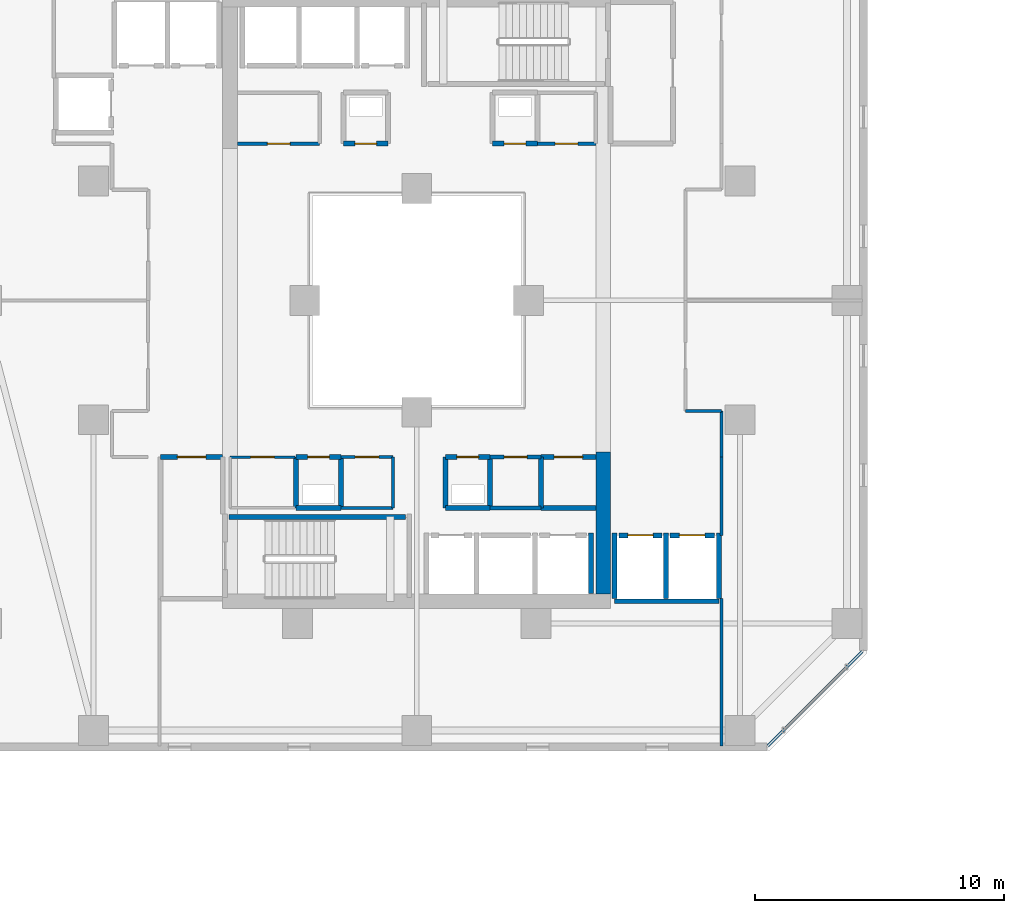
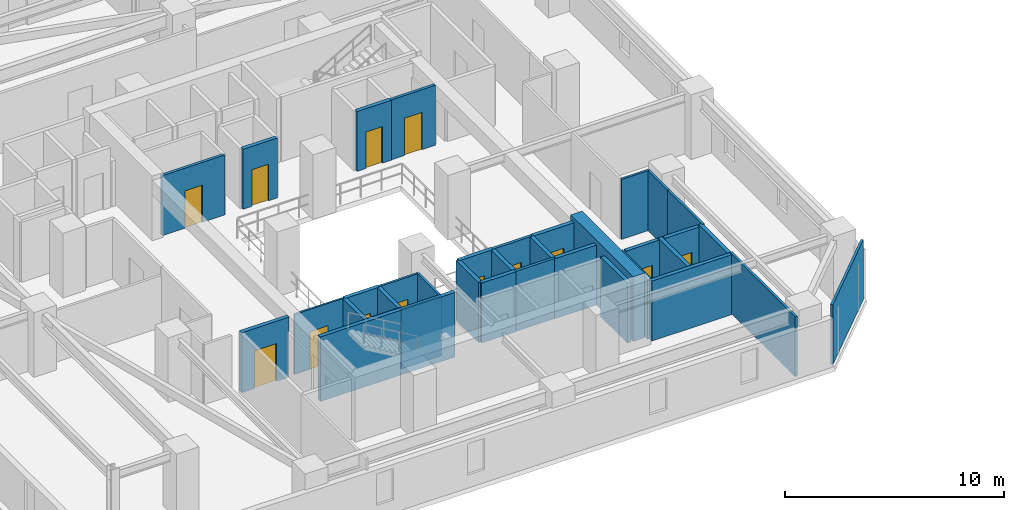
# One storey, part 20 of 33: 36 walls, 13 doors, 13 openings.
"""IFC4 building model written with IfcOpenShell, lengths in metres."""

from ifc_helpers import new_model, si_unit, direction, frame, frame_2d, origin, place, context, subcontext, project, spatial, rectangle, extrude, material, layer, layer_set, type_object, element, fill, save


model = new_model("IFC4")

# Units and contexts
model_context = context("Model", 3, precision=1e-05, world=origin(), true_north=direction((0.0, 1.0)))
body_context = subcontext(model_context, "Body", "Model", "MODEL_VIEW")
ifc_project = project(units=[si_unit("LENGTHUNIT", "METRE"), si_unit("AREAUNIT", "SQUARE_METRE"), si_unit("VOLUMEUNIT", "CUBIC_METRE"), si_unit("PLANEANGLEUNIT", "RADIAN"), si_unit("MASSUNIT", "GRAM", prefix="KILO")], contexts=[model_context])

# Site, building, storey
site_placement = place(None, origin())
site = spatial("IfcSite", under=ifc_project, at=site_placement, CompositionType="ELEMENT")
building_placement = place(site_placement, origin())
building = spatial("IfcBuilding", under=site, at=building_placement, Name="Thornwick Lancets Civic Towers", CompositionType="ELEMENT")
storey_placement = place(building_placement, frame((0.0, 0.0, 101.699951171875)))
storey = spatial("IfcBuildingStorey", under=building, at=storey_placement, Name="L26", CompositionType="ELEMENT", Elevation=101.699951171875)

# Wall, opening, door
ifc_material_1 = material(Name="Concrete blockwork C40/50", Category="masonry")
ifc_layer_1 = layer(ifc_material_1, 0.199951171875, Name="Concrete blockwork C40/50")
ifc_layer_set_1 = layer_set([ifc_layer_1], Name="Concrete blockwork C40/50")
wall_type_1 = type_object("IfcWallType", Name="WALL_COMP_200", PredefinedType="STANDARD", material=ifc_layer_set_1)
wall_1_placement = place(storey_placement, frame((33.6298828125, 17.550048828125, 0.0), z_axis=(0.0, 0.0, 1.0), x_axis=(1.0, 0.0, 0.0)))
wall_1 = element("IfcWall", 1, at=wall_1_placement, inside=storey, type_object=wall_type_1, Name="L26 Hoistway Front Wall PL-AL2", PredefinedType="STANDARD", context=body_context, shape_type="SweptSolid", body=[
    extrude(rectangle(XDim=1.740234375, YDim=0.199951171875, at=frame_2d((0.8701171875, 0.0))), origin(), (0.0, 0.0, 1.0), 3.340087890625),
])
opening_1_placement = place(wall_1_placement, frame((0.360107421875, 0.0, 0.0)))
opening_1 = element("IfcOpeningElement", 2, at=opening_1_placement, cuts=wall_1, Name="Opening LD-PL-AL2", PredefinedType="OPENING", context=body_context, shape_type="SweptSolid", body=[
    extrude(rectangle(XDim=1.02001953125, YDim=2.06005859375, at=frame_2d((0.510009765625, 1.030029296875))), frame((0.0, 0.10986328125, 0.0), z_axis=(0.0, -1.0, 0.0), x_axis=(1.0, 0.0, 0.0)), (0.0, 0.0, 1.0), 0.219970703125),
])
ifc_material_2 = material(Name="Brushed bronze stainless steel", Category="steel")
door_type_1 = type_object("IfcDoorType", Name="DOOR_LIFT_SLIDE", OperationType="SLIDING_TO_LEFT", PredefinedType="DOOR", material=ifc_material_2)
door_1_placement = place(opening_1_placement, origin())
door_1 = element("IfcDoor", 3, at=door_1_placement, inside=storey, type_object=door_type_1, Name="L26 Sliding Lift Landing Door LD-PL-AL2", OperationType="SLIDING_TO_LEFT", OverallHeight=2.06005859375, OverallWidth=1.02001953125, PredefinedType="DOOR", context=body_context, shape_type="SweptSolid", body=[
    extrude(rectangle(XDim=1.02001953125, YDim=2.06005859375, at=frame_2d((0.510009765625, 1.030029296875))), frame((0.0, 0.02490234375, 0.0), z_axis=(0.0, -1.0, 0.0), x_axis=(1.0, 0.0, 0.0)), (0.0, 0.0, 1.0), 0.050048828125),
])
fill(opening_1, door_1)

wall_2_placement = place(storey_placement, frame((35.679931640625, 17.550048828125, 0.0), z_axis=(0.0, 0.0, 1.0), x_axis=(1.0, 0.0, 0.0)))
wall_2 = element("IfcWall", 4, at=wall_2_placement, inside=storey, type_object=wall_type_1, Name="L26 Hoistway Front Wall PL-AL3", PredefinedType="STANDARD", context=body_context, shape_type="SweptSolid", body=[
    extrude(rectangle(XDim=1.7900390625, YDim=0.199951171875, at=frame_2d((0.89501953125, 0.0))), origin(), (0.0, 0.0, 1.0), 3.340087890625),
])
opening_2_placement = place(wall_2_placement, frame((0.385009765625, 0.0, 0.0)))
opening_2 = element("IfcOpeningElement", 5, at=opening_2_placement, cuts=wall_2, Name="Opening LD-PL-AL3", PredefinedType="OPENING", context=body_context, shape_type="SweptSolid", body=[
    extrude(rectangle(XDim=1.02001953125, YDim=2.06005859375, at=frame_2d((0.510009765625, 1.030029296875))), frame((0.0, 0.10986328125, 0.0), z_axis=(0.0, -1.0, 0.0), x_axis=(1.0, 0.0, 0.0)), (0.0, 0.0, 1.0), 0.219970703125),
])
door_2_placement = place(opening_2_placement, origin())
door_2 = element("IfcDoor", 6, at=door_2_placement, inside=storey, type_object=door_type_1, Name="L26 Sliding Lift Landing Door LD-PL-AL3", OperationType="SLIDING_TO_LEFT", OverallHeight=2.06005859375, OverallWidth=1.02001953125, PredefinedType="DOOR", context=body_context, shape_type="SweptSolid", body=[
    extrude(rectangle(XDim=1.02001953125, YDim=2.06005859375, at=frame_2d((0.510009765625, 1.030029296875))), frame((0.0, 0.02490234375, 0.0), z_axis=(0.0, -1.0, 0.0), x_axis=(1.0, 0.0, 0.0)), (0.0, 0.0, 1.0), 0.050048828125),
])
fill(opening_2, door_2)

# Walls
wall_3_placement = place(storey_placement, frame((32.5, 15.2119140625, 0.0), z_axis=(0.0, 0.0, 1.0), x_axis=(0.0, 1.0, 0.0)))
element("IfcWall", 7, at=wall_3_placement, inside=storey, type_object=wall_type_1, Name="L26 Hoistway Shaft Wall PL-AL1 E", PredefinedType="STANDARD", context=body_context, shape_type="SweptSolid", body=[
    extrude(rectangle(XDim=2.43603515625, YDim=0.199951171875, at=frame_2d((1.218017578125, 0.0))), origin(), (0.0, 0.0, 1.0), 3.340087890625),
])
wall_4_placement = place(storey_placement, frame((33.451904296875, 14.89990234375, 0.0), z_axis=(0.0, 0.0, 1.0), x_axis=(1.0, 0.0, 0.0)))
element("IfcWall", 8, at=wall_4_placement, inside=storey, type_object=wall_type_1, Name="L26 Hoistway Shaft Wall PL-AL2 S", PredefinedType="STANDARD", context=body_context, shape_type="SweptSolid", body=[
    extrude(rectangle(XDim=4.196044921875, YDim=0.199951171875, at=frame_2d((2.09814453125, 0.0))), origin(), (0.0, 0.0, 1.0), 3.340087890625),
])
for number, where, z_axis, x_axis, name in (
    (9, (35.52490234375, 15.011962890625, 0.0), (0.0, 0.0, 1.0), (0.0, 1.0, 0.0), "L26 Hoistway Shaft Wall PL-AL2 E"),
    (10, (33.449951171875, 15.011962890625, 0.0), (0.0, 0.0, 1.0), (0.0, 1.0, 0.0), "L26 Hoistway Shaft Wall PL-AL2 W"),
    (11, (37.64990234375, 15.011962890625, 0.0), (0.0, 0.0, 1.0), (0.0, 1.0, 0.0), "L26 Hoistway Shaft Wall PL-AL3 E"),
):
    element("IfcWall", number, at=place(storey_placement, frame(where, z_axis=z_axis, x_axis=x_axis)), inside=storey, type_object=wall_type_1, Name=name, PredefinedType="STANDARD", context=body_context, shape_type="SweptSolid", body=[
        extrude(rectangle(XDim=2.635986328125, YDim=0.199951171875, at=frame_2d((1.31787109375, 0.0))), origin(), (0.0, 0.0, 1.0), 3.340087890625),
    ])

# Wall, opening, door
wall_5_placement = place(storey_placement, frame((17.699951171875, 20.699951171875, 0.0), z_axis=(0.0, 0.0, 1.0), x_axis=(-1.0, 0.0, 0.0)))
wall_5 = element("IfcWall", 12, at=wall_5_placement, inside=storey, type_object=wall_type_1, Name="L26 Partition L26-A-FFLOB1 E3", PredefinedType="STANDARD", context=body_context, shape_type="SweptSolid", body=[
    extrude(rectangle(XDim=2.5, YDim=0.199951171875, at=frame_2d((1.25, 0.0))), origin(), (0.0, 0.0, 1.0), 3.340087890625),
])
opening_3_placement = place(wall_5_placement, frame((0.675048828125, 0.0, 0.0)))
opening_3 = element("IfcOpeningElement", 13, at=opening_3_placement, cuts=wall_5, Name="Opening D-L26-1193", PredefinedType="OPENING", context=body_context, shape_type="SweptSolid", body=[
    extrude(rectangle(XDim=1.14990234375, YDim=2.10009765625, at=frame_2d((0.574951171875, 1.050048828125))), frame((0.0, 0.10986328125, 0.0), z_axis=(0.0, -1.0, 0.0), x_axis=(1.0, 0.0, 0.0)), (0.0, 0.0, 1.0), 0.219970703125),
])
ifc_material_3 = material(Name="Glazed fire-resisting steel", Category="steel")
door_type_2 = type_object("IfcDoorType", Name="DOOR_LOBBY_FD60", OperationType="NOTDEFINED", PredefinedType="DOOR", material=ifc_material_3)
door_3_placement = place(opening_3_placement, origin())
door_3 = element("IfcDoor", 14, at=door_3_placement, inside=storey, type_object=door_type_2, Name="L26 South Firefighting Lobby 1 Door", OperationType="SINGLE_SWING_RIGHT", OverallHeight=2.10009765625, OverallWidth=1.14990234375, PredefinedType="DOOR", context=body_context, shape_type="SweptSolid", body=[
    extrude(rectangle(XDim=1.14990234375, YDim=2.10009765625, at=frame_2d((0.574951171875, 1.050048828125))), frame((0.0, 0.02490234375, 0.0), z_axis=(0.0, -1.0, 0.0), x_axis=(1.0, 0.0, 0.0)), (0.0, 0.0, 1.0), 0.050048828125),
])
fill(opening_3, door_3)

# Walls
wall_6_placement = place(storey_placement, frame((26.64990234375, 18.64990234375, 0.0), z_axis=(0.0, 0.0, 1.0), x_axis=(1.0, 0.0, 0.0)))
element("IfcWall", 15, at=wall_6_placement, inside=storey, type_object=wall_type_1, Name="L26 Partition L26-A-DUCT1 E1", PredefinedType="STANDARD", context=body_context, shape_type="SweptSolid", body=[
    extrude(rectangle(XDim=1.800048828125, YDim=0.199951171875, at=frame_2d((0.89990234375, 0.0))), origin(), (0.0, 0.0, 1.0), 3.340087890625),
])
wall_7_placement = place(storey_placement, frame((28.449951171875, 18.64990234375, 0.0), z_axis=(0.0, 0.0, 1.0), x_axis=(0.0, 1.0, 0.0)))
element("IfcWall", 16, at=wall_7_placement, inside=storey, type_object=wall_type_1, Name="L26 Partition L26-A-DUCT1 E2", PredefinedType="STANDARD", context=body_context, shape_type="SweptSolid", body=[
    extrude(rectangle(XDim=2.050048828125, YDim=0.199951171875, at=frame_2d((1.02490234375, 0.0))), origin(), (0.0, 0.0, 1.0), 3.340087890625),
])

# Wall, opening, door
wall_8_placement = place(storey_placement, frame((28.449951171875, 20.699951171875, 0.0), z_axis=(0.0, 0.0, 1.0), x_axis=(-1.0, 0.0, 0.0)))
wall_8 = element("IfcWall", 17, at=wall_8_placement, inside=storey, type_object=wall_type_1, Name="L26 Partition L26-A-DUCT1 E3", PredefinedType="STANDARD", context=body_context, shape_type="SweptSolid", body=[
    extrude(rectangle(XDim=1.800048828125, YDim=0.199951171875, at=frame_2d((0.89990234375, 0.0))), origin(), (0.0, 0.0, 1.0), 3.340087890625),
])
opening_4_placement = place(wall_8_placement, frame((0.4599609375, 0.0, 0.0)))
opening_4 = element("IfcOpeningElement", 18, at=opening_4_placement, cuts=wall_8, Name="Opening D-L26-1195", PredefinedType="OPENING", context=body_context, shape_type="SweptSolid", body=[
    extrude(rectangle(XDim=0.8798828125, YDim=2.0400390625, at=frame_2d((0.43994140625, 1.02001953125))), frame((0.0, 0.10986328125, 0.0), z_axis=(0.0, -1.0, 0.0), x_axis=(1.0, 0.0, 0.0)), (0.0, 0.0, 1.0), 0.219970703125),
])
ifc_material_4 = material(Name="Steel riser access doorset", Category="steel")
door_type_3 = type_object("IfcDoorType", Name="DOOR_RISER_850", OperationType="NOTDEFINED", PredefinedType="DOOR", material=ifc_material_4)
door_4_placement = place(opening_4_placement, origin())
door_4 = element("IfcDoor", 19, at=door_4_placement, inside=storey, type_object=door_type_3, Name="L26 South Service Duct 1 Door", OperationType="SINGLE_SWING_RIGHT", OverallHeight=2.0400390625, OverallWidth=0.8798828125, PredefinedType="DOOR", context=body_context, shape_type="SweptSolid", body=[
    extrude(rectangle(XDim=0.8798828125, YDim=2.0400390625, at=frame_2d((0.43994140625, 1.02001953125))), frame((0.0, 0.02490234375, 0.0), z_axis=(0.0, -1.0, 0.0), x_axis=(1.0, 0.0, 0.0)), (0.0, 0.0, 1.0), 0.050048828125),
])
fill(opening_4, door_4)

# Walls
wall_9_placement = place(storey_placement, frame((26.64990234375, 20.699951171875, 0.0), z_axis=(0.0, 0.0, 1.0), x_axis=(0.0, -1.0, 0.0)))
element("IfcWall", 20, at=wall_9_placement, inside=storey, type_object=wall_type_1, Name="L26 Partition L26-A-DUCT1 E4", PredefinedType="STANDARD", context=body_context, shape_type="SweptSolid", body=[
    extrude(rectangle(XDim=2.050048828125, YDim=0.199951171875, at=frame_2d((1.02490234375, 0.0))), origin(), (0.0, 0.0, 1.0), 3.340087890625),
])
wall_10_placement = place(storey_placement, frame((20.64990234375, 18.64990234375, 0.0), z_axis=(0.0, 0.0, 1.0), x_axis=(1.0, 0.0, 0.0)))
element("IfcWall", 21, at=wall_10_placement, inside=storey, type_object=wall_type_1, Name="L26 Partition L26-A-RISER1 E1", PredefinedType="STANDARD", context=body_context, shape_type="SweptSolid", body=[
    extrude(rectangle(XDim=1.800048828125, YDim=0.199951171875, at=frame_2d((0.89990234375, 0.0))), origin(), (0.0, 0.0, 1.0), 3.340087890625),
])
wall_11_placement = place(storey_placement, frame((22.449951171875, 18.64990234375, 0.0), z_axis=(0.0, 0.0, 1.0), x_axis=(0.0, 1.0, 0.0)))
element("IfcWall", 22, at=wall_11_placement, inside=storey, type_object=wall_type_1, Name="L26 Partition L26-A-RISER1 E2", PredefinedType="STANDARD", context=body_context, shape_type="SweptSolid", body=[
    extrude(rectangle(XDim=2.050048828125, YDim=0.199951171875, at=frame_2d((1.02490234375, 0.0))), origin(), (0.0, 0.0, 1.0), 3.340087890625),
])

# Wall, opening, door
wall_12_placement = place(storey_placement, frame((22.449951171875, 20.699951171875, 0.0), z_axis=(0.0, 0.0, 1.0), x_axis=(-1.0, 0.0, 0.0)))
wall_12 = element("IfcWall", 23, at=wall_12_placement, inside=storey, type_object=wall_type_1, Name="L26 Partition L26-A-RISER1 E3", PredefinedType="STANDARD", context=body_context, shape_type="SweptSolid", body=[
    extrude(rectangle(XDim=1.800048828125, YDim=0.199951171875, at=frame_2d((0.89990234375, 0.0))), origin(), (0.0, 0.0, 1.0), 3.340087890625),
])
opening_5_placement = place(wall_12_placement, frame((0.4599609375, 0.0, 0.0)))
opening_5 = element("IfcOpeningElement", 24, at=opening_5_placement, cuts=wall_12, Name="Opening D-L26-1196", PredefinedType="OPENING", context=body_context, shape_type="SweptSolid", body=[
    extrude(rectangle(XDim=0.8798828125, YDim=2.0400390625, at=frame_2d((0.43994140625, 1.02001953125))), frame((0.0, 0.10986328125, 0.0), z_axis=(0.0, -1.0, 0.0), x_axis=(1.0, 0.0, 0.0)), (0.0, 0.0, 1.0), 0.219970703125),
])
door_5_placement = place(opening_5_placement, origin())
door_5 = element("IfcDoor", 25, at=door_5_placement, inside=storey, type_object=door_type_3, Name="L26 South Electrical Riser 1 Door", OperationType="SINGLE_SWING_LEFT", OverallHeight=2.0400390625, OverallWidth=0.8798828125, PredefinedType="DOOR", context=body_context, shape_type="SweptSolid", body=[
    extrude(rectangle(XDim=0.8798828125, YDim=2.0400390625, at=frame_2d((0.43994140625, 1.02001953125))), frame((0.0, 0.02490234375, 0.0), z_axis=(0.0, -1.0, 0.0), x_axis=(1.0, 0.0, 0.0)), (0.0, 0.0, 1.0), 0.050048828125),
])
fill(opening_5, door_5)

# Wall
wall_13_placement = place(storey_placement, frame((20.64990234375, 20.699951171875, 0.0), z_axis=(0.0, 0.0, 1.0), x_axis=(0.0, -1.0, 0.0)))
element("IfcWall", 26, at=wall_13_placement, inside=storey, type_object=wall_type_1, Name="L26 Partition L26-A-RISER1 E4", PredefinedType="STANDARD", context=body_context, shape_type="SweptSolid", body=[
    extrude(rectangle(XDim=2.050048828125, YDim=0.199951171875, at=frame_2d((1.02490234375, 0.0))), origin(), (0.0, 0.0, 1.0), 3.340087890625),
])

# Wall, opening, door
wall_14_placement = place(storey_placement, frame((22.550048828125, 33.300048828125, 0.0), z_axis=(0.0, 0.0, 1.0), x_axis=(1.0, 0.0, 0.0)))
wall_14 = element("IfcWall", 27, at=wall_14_placement, inside=storey, type_object=wall_type_1, Name="L26 Partition L26-A-DUCT2 E1", PredefinedType="STANDARD", context=body_context, shape_type="SweptSolid", body=[
    extrude(rectangle(XDim=1.800048828125, YDim=0.199951171875, at=frame_2d((0.89990234375, 0.0))), origin(), (0.0, 0.0, 1.0), 3.340087890625),
])
opening_6_placement = place(wall_14_placement, frame((0.4599609375, 0.0, 0.0)))
opening_6 = element("IfcOpeningElement", 28, at=opening_6_placement, cuts=wall_14, Name="Opening D-L26-1197", PredefinedType="OPENING", context=body_context, shape_type="SweptSolid", body=[
    extrude(rectangle(XDim=0.8798828125, YDim=2.0400390625, at=frame_2d((0.43994140625, 1.02001953125))), frame((0.0, 0.10986328125, 0.0), z_axis=(0.0, -1.0, 0.0), x_axis=(1.0, 0.0, 0.0)), (0.0, 0.0, 1.0), 0.219970703125),
])
door_6_placement = place(opening_6_placement, origin())
door_6 = element("IfcDoor", 29, at=door_6_placement, inside=storey, type_object=door_type_3, Name="L26 North Service Duct 2 Door", OperationType="SINGLE_SWING_RIGHT", OverallHeight=2.0400390625, OverallWidth=0.8798828125, PredefinedType="DOOR", context=body_context, shape_type="SweptSolid", body=[
    extrude(rectangle(XDim=0.8798828125, YDim=2.0400390625, at=frame_2d((0.43994140625, 1.02001953125))), frame((0.0, 0.02490234375, 0.0), z_axis=(0.0, -1.0, 0.0), x_axis=(1.0, 0.0, 0.0)), (0.0, 0.0, 1.0), 0.050048828125),
])
fill(opening_6, door_6)

wall_15_placement = place(storey_placement, frame((28.550048828125, 33.300048828125, 0.0), z_axis=(0.0, 0.0, 1.0), x_axis=(1.0, 0.0, 0.0)))
wall_15 = element("IfcWall", 30, at=wall_15_placement, inside=storey, type_object=wall_type_1, Name="L26 Partition L26-A-RISER2 E1", PredefinedType="STANDARD", context=body_context, shape_type="SweptSolid", body=[
    extrude(rectangle(XDim=1.800048828125, YDim=0.199951171875, at=frame_2d((0.89990234375, 0.0))), origin(), (0.0, 0.0, 1.0), 3.340087890625),
])
opening_7_placement = place(wall_15_placement, frame((0.4599609375, 0.0, 0.0)))
opening_7 = element("IfcOpeningElement", 31, at=opening_7_placement, cuts=wall_15, Name="Opening D-L26-1198", PredefinedType="OPENING", context=body_context, shape_type="SweptSolid", body=[
    extrude(rectangle(XDim=0.8798828125, YDim=2.0400390625, at=frame_2d((0.43994140625, 1.02001953125))), frame((0.0, 0.10986328125, 0.0), z_axis=(0.0, -1.0, 0.0), x_axis=(1.0, 0.0, 0.0)), (0.0, 0.0, 1.0), 0.219970703125),
])
door_7_placement = place(opening_7_placement, origin())
door_7 = element("IfcDoor", 32, at=door_7_placement, inside=storey, type_object=door_type_3, Name="L26 North Service Riser 2 Door", OperationType="SINGLE_SWING_LEFT", OverallHeight=2.0400390625, OverallWidth=0.8798828125, PredefinedType="DOOR", context=body_context, shape_type="SweptSolid", body=[
    extrude(rectangle(XDim=0.8798828125, YDim=2.0400390625, at=frame_2d((0.43994140625, 1.02001953125))), frame((0.0, 0.02490234375, 0.0), z_axis=(0.0, -1.0, 0.0), x_axis=(1.0, 0.0, 0.0)), (0.0, 0.0, 1.0), 0.050048828125),
])
fill(opening_7, door_7)

# Walls
wall_16_placement = place(storey_placement, frame((32.699951171875, 18.64990234375, 0.0), z_axis=(0.0, 0.0, 1.0), x_axis=(-1.0, 0.0, 0.0)))
element("IfcWall", 33, at=wall_16_placement, inside=storey, type_object=wall_type_1, Name="L26 Partition L26-A-STR2 E2", PredefinedType="STANDARD", context=body_context, shape_type="SweptSolid", body=[
    extrude(rectangle(XDim=2.199951171875, YDim=0.199951171875, at=frame_2d((1.10009765625, 0.0))), origin(), (0.0, 0.0, 1.0), 3.340087890625),
])
wall_17_placement = place(storey_placement, frame((30.5, 18.64990234375, 0.0), z_axis=(0.0, 0.0, 1.0), x_axis=(0.0, 1.0, 0.0)))
element("IfcWall", 34, at=wall_17_placement, inside=storey, type_object=wall_type_1, Name="L26 Partition L26-A-STR2 E3", PredefinedType="STANDARD", context=body_context, shape_type="SweptSolid", body=[
    extrude(rectangle(XDim=2.050048828125, YDim=0.199951171875, at=frame_2d((1.02490234375, 0.0))), origin(), (0.0, 0.0, 1.0), 3.340087890625),
])

# Wall, opening, door
wall_18_placement = place(storey_placement, frame((30.5, 20.699951171875, 0.0), z_axis=(0.0, 0.0, 1.0), x_axis=(1.0, 0.0, 0.0)))
wall_18 = element("IfcWall", 35, at=wall_18_placement, inside=storey, type_object=wall_type_1, Name="L26 Partition L26-A-STR2 E4", PredefinedType="STANDARD", context=body_context, shape_type="SweptSolid", body=[
    extrude(rectangle(XDim=2.199951171875, YDim=0.199951171875, at=frame_2d((1.10009765625, 0.0))), origin(), (0.0, 0.0, 1.0), 3.340087890625),
])
opening_8_placement = place(wall_18_placement, frame((0.52490234375, 0.0, 0.0)))
opening_8 = element("IfcOpeningElement", 36, at=opening_8_placement, cuts=wall_18, Name="Opening D-L26-1202", PredefinedType="OPENING", context=body_context, shape_type="SweptSolid", body=[
    extrude(rectangle(XDim=1.14990234375, YDim=2.10009765625, at=frame_2d((0.574951171875, 1.050048828125))), frame((0.0, 0.10986328125, 0.0), z_axis=(0.0, -1.0, 0.0), x_axis=(1.0, 0.0, 0.0)), (0.0, 0.0, 1.0), 0.219970703125),
])
door_8_placement = place(opening_8_placement, origin())
door_8 = element("IfcDoor", 37, at=door_8_placement, inside=storey, type_object=door_type_2, Name="L26 Tower A Core Supplies Store Door", OperationType="SINGLE_SWING_LEFT", OverallHeight=2.10009765625, OverallWidth=1.14990234375, PredefinedType="DOOR", context=body_context, shape_type="SweptSolid", body=[
    extrude(rectangle(XDim=1.14990234375, YDim=2.10009765625, at=frame_2d((0.574951171875, 1.050048828125))), frame((0.0, 0.02490234375, 0.0), z_axis=(0.0, -1.0, 0.0), x_axis=(1.0, 0.0, 0.0)), (0.0, 0.0, 1.0), 0.050048828125),
])
fill(opening_8, door_8)

# Wall
ifc_material_5 = material(Name="Concrete C60/75", Category="concrete")
ifc_layer_2 = layer(ifc_material_5, 0.60009765625, Name="Concrete C60/75")
ifc_layer_set_2 = layer_set([ifc_layer_2], Name="Concrete C60/75")
wall_type_2 = type_object("IfcWallType", Name="WALL_CORE_600", PredefinedType="SHEAR", material=ifc_layer_set_2)
wall_19_placement = place(storey_placement, frame((33.0, 15.199951171875, 0.0), z_axis=(0.0, 0.0, 1.0), x_axis=(0.0, 1.0, 0.0)))
element("IfcWall", 38, at=wall_19_placement, inside=storey, type_object=wall_type_2, Name="L26 Split Core A1 Shear Wall E", PredefinedType="SHEAR", context=body_context, shape_type="SweptSolid", body=[
    extrude(rectangle(XDim=5.699951171875, YDim=0.60009765625, at=frame_2d((2.85009765625, 0.0))), origin(), (0.0, 0.0, 1.0), 3.60009765625),
])

# Wall, opening, door
ifc_material_6 = material(Name="Lightweight cellular office partition")
ifc_layer_3 = layer(ifc_material_6, 0.10009765625, Name="Lightweight cellular office partition")
ifc_layer_set_3 = layer_set([ifc_layer_3], Name="Lightweight cellular office partition")
wall_type_3 = type_object("IfcWallType", Name="WALL_PART_100", PredefinedType="PARTITIONING", material=ifc_layer_set_3)
wall_20_placement = place(storey_placement, frame((20.60009765625, 20.699951171875, 0.0), z_axis=(0.0, 0.0, 1.0), x_axis=(-1.0, 0.0, 0.0)))
wall_20 = element("IfcWall", 39, at=wall_20_placement, inside=storey, type_object=wall_type_3, Name="L26 Partition L26-A-CLN E3", PredefinedType="PARTITIONING", context=body_context, shape_type="SweptSolid", body=[
    extrude(rectangle(XDim=2.60009765625, YDim=0.10009765625, at=frame_2d((1.300048828125, 0.0))), origin(), (0.0, 0.0, 1.0), 3.340087890625),
])
opening_9_placement = place(wall_20_placement, frame((0.824951171875, 0.0, 0.0)))
opening_9 = element("IfcOpeningElement", 40, at=opening_9_placement, cuts=wall_20, Name="Opening D-L26-1199", PredefinedType="OPENING", context=body_context, shape_type="SweptSolid", body=[
    extrude(rectangle(XDim=0.949951171875, YDim=2.10009765625, at=frame_2d((0.47509765625, 1.050048828125))), frame((0.0, 0.06005859375, 0.0), z_axis=(0.0, -1.0, 0.0), x_axis=(1.0, 0.0, 0.0)), (0.0, 0.0, 1.0), 0.1201171875),
])
ifc_material_7 = material(Name="European oak acoustic doorset")
door_type_4 = type_object("IfcDoorType", Name="DOOR_OFFICE_950", OperationType="NOTDEFINED", PredefinedType="DOOR", material=ifc_material_7)
door_9_placement = place(opening_9_placement, origin())
door_9 = element("IfcDoor", 41, at=door_9_placement, inside=storey, type_object=door_type_4, Name="L26 Tower A Cleaners Store Door", OperationType="SINGLE_SWING_RIGHT", OverallHeight=2.10009765625, OverallWidth=0.949951171875, PredefinedType="DOOR", context=body_context, shape_type="SweptSolid", body=[
    extrude(rectangle(XDim=0.949951171875, YDim=2.10009765625, at=frame_2d((0.47509765625, 1.050048828125))), frame((0.0, 0.02490234375, 0.0), z_axis=(0.0, -1.0, 0.0), x_axis=(1.0, 0.0, 0.0)), (0.0, 0.0, 1.0), 0.050048828125),
])
fill(opening_9, door_9)

# Walls
ifc_material_8 = material(Name="Acoustic gypsum board partition")
ifc_layer_4 = layer(ifc_material_8, 0.1201171875, Name="Acoustic gypsum board partition")
ifc_layer_set_4 = layer_set([ifc_layer_4], Name="Acoustic gypsum board partition")
wall_type_4 = type_object("IfcWallType", Name="WALL_PART_120", PredefinedType="PARTITIONING", material=ifc_layer_set_4)
wall_21_placement = place(storey_placement, frame((24.550048828125, 20.699951171875, 0.0), z_axis=(0.0, 0.0, 1.0), x_axis=(0.0, -1.0, 0.0)))
element("IfcWall", 42, at=wall_21_placement, inside=storey, type_object=wall_type_4, Name="L26 Partition L26-A-ITR E1", PredefinedType="PARTITIONING", context=body_context, shape_type="SweptSolid", body=[
    extrude(rectangle(XDim=2.050048828125, YDim=0.1201171875, at=frame_2d((1.02490234375, 0.0))), origin(), (0.0, 0.0, 1.0), 3.340087890625),
])
wall_22_placement = place(storey_placement, frame((24.550048828125, 18.64990234375, 0.0), z_axis=(0.0, 0.0, 1.0), x_axis=(-1.0, 0.0, 0.0)))
element("IfcWall", 43, at=wall_22_placement, inside=storey, type_object=wall_type_4, Name="L26 Partition L26-A-ITR E2", PredefinedType="PARTITIONING", context=body_context, shape_type="SweptSolid", body=[
    extrude(rectangle(XDim=2.10009765625, YDim=0.1201171875, at=frame_2d((1.050048828125, 0.0))), origin(), (0.0, 0.0, 1.0), 3.340087890625),
])

# Wall, opening, door
wall_23_placement = place(storey_placement, frame((22.449951171875, 20.699951171875, 0.0), z_axis=(0.0, 0.0, 1.0), x_axis=(1.0, 0.0, 0.0)))
wall_23 = element("IfcWall", 44, at=wall_23_placement, inside=storey, type_object=wall_type_4, Name="L26 Partition L26-A-ITR E4", PredefinedType="PARTITIONING", context=body_context, shape_type="SweptSolid", body=[
    extrude(rectangle(XDim=2.10009765625, YDim=0.1201171875, at=frame_2d((1.050048828125, 0.0))), origin(), (0.0, 0.0, 1.0), 3.340087890625),
])
opening_10_placement = place(wall_23_placement, frame((0.574951171875, 0.0, 0.0)))
opening_10 = element("IfcOpeningElement", 45, at=opening_10_placement, cuts=wall_23, Name="Opening D-L26-1200", PredefinedType="OPENING", context=body_context, shape_type="SweptSolid", body=[
    extrude(rectangle(XDim=0.949951171875, YDim=2.10009765625, at=frame_2d((0.47509765625, 1.050048828125))), frame((0.0, 0.070068359375, 0.0), z_axis=(0.0, -1.0, 0.0), x_axis=(1.0, 0.0, 0.0)), (0.0, 0.0, 1.0), 0.14013671875),
])
door_10_placement = place(opening_10_placement, origin())
door_10 = element("IfcDoor", 46, at=door_10_placement, inside=storey, type_object=door_type_4, Name="L26 Tower A Comms Patch Room Door", OperationType="SINGLE_SWING_LEFT", OverallHeight=2.10009765625, OverallWidth=0.949951171875, PredefinedType="DOOR", context=body_context, shape_type="SweptSolid", body=[
    extrude(rectangle(XDim=0.949951171875, YDim=2.10009765625, at=frame_2d((0.47509765625, 1.050048828125))), frame((0.0, 0.02490234375, 0.0), z_axis=(0.0, -1.0, 0.0), x_axis=(1.0, 0.0, 0.0)), (0.0, 0.0, 1.0), 0.050048828125),
])
fill(opening_10, door_10)

# Walls
wall_24_placement = place(storey_placement, frame((37.75, 17.550048828125, 0.0), z_axis=(0.0, 0.0, 1.0), x_axis=(0.0, 1.0, 0.0)))
element("IfcWall", 47, at=wall_24_placement, inside=storey, type_object=wall_type_4, Name="L26 Partition L26-A-E1 E1", PredefinedType="PARTITIONING", context=body_context, shape_type="SweptSolid", body=[
    extrude(rectangle(XDim=3.14990234375, YDim=0.1201171875, at=frame_2d((1.574951171875, 0.0))), origin(), (0.0, 0.0, 1.0), 3.340087890625),
])
wall_25_placement = place(storey_placement, frame((37.75, 20.699951171875, 0.0), z_axis=(0.0, 0.0, 1.0), x_axis=(0.0, 1.0, 0.0)))
element("IfcWall", 48, at=wall_25_placement, inside=storey, type_object=wall_type_4, Name="L26 Partition L26-A-E1 E2", PredefinedType="PARTITIONING", context=body_context, shape_type="SweptSolid", body=[
    extrude(rectangle(XDim=1.85009765625, YDim=0.1201171875, at=frame_2d((0.925048828125, 0.0))), origin(), (0.0, 0.0, 1.0), 3.340087890625),
])
wall_26_placement = place(storey_placement, frame((37.75, 22.550048828125, 0.0), z_axis=(0.0, 0.0, 1.0), x_axis=(-1.0, 0.0, 0.0)))
element("IfcWall", 49, at=wall_26_placement, inside=storey, type_object=wall_type_4, Name="L26 Partition L26-A-E1 E3", PredefinedType="PARTITIONING", context=body_context, shape_type="SweptSolid", body=[
    extrude(rectangle(XDim=1.449951171875, YDim=0.1201171875, at=frame_2d((0.72509765625, 0.0))), origin(), (0.0, 0.0, 1.0), 3.340087890625),
])
wall_27_placement = place(storey_placement, frame((43.419921875, 12.883544921875, 0.0), z_axis=(0.0, 0.0, 1.0), x_axis=(-0.707106781187, -0.707106781187, 0.0)))
element("IfcWall", 50, at=wall_27_placement, inside=storey, type_object=wall_type_4, Name="L26 Partition L26-A-E1 E7", PredefinedType="PARTITIONING", context=body_context, shape_type="SweptSolid", body=[
    extrude(rectangle(XDim=5.37890625, YDim=0.1201171875, at=frame_2d((2.689453125, 0.0))), origin(), (0.0, 0.0, 1.0), 3.340087890625),
])
wall_28_placement = place(storey_placement, frame((37.75, 9.080078125, 0.0), z_axis=(0.0, 0.0, 1.0), x_axis=(0.0, 1.0, 0.0)))
element("IfcWall", 51, at=wall_28_placement, inside=storey, type_object=wall_type_4, Name="L26 Partition L26-A-E1 E9", PredefinedType="PARTITIONING", context=body_context, shape_type="SweptSolid", body=[
    extrude(rectangle(XDim=5.931884765625, YDim=0.1201171875, at=frame_2d((2.9658203125, 0.0))), origin(), (0.0, 0.0, 1.0), 3.340087890625),
])
ifc_material_9 = material(Name="Twin-stud acoustic gypsum board")
ifc_layer_5 = layer(ifc_material_9, 0.14990234375, Name="Twin-stud acoustic gypsum board")
ifc_layer_set_5 = layer_set([ifc_layer_5], Name="Twin-stud acoustic gypsum board")
wall_type_5 = type_object("IfcWallType", Name="WALL_PART_150", PredefinedType="PARTITIONING", material=ifc_layer_set_5)
wall_29_placement = place(storey_placement, frame((30.5, 18.64990234375, 0.0), z_axis=(0.0, 0.0, 1.0), x_axis=(-1.0, 0.0, 0.0)))
element("IfcWall", 52, at=wall_29_placement, inside=storey, type_object=wall_type_5, Name="L26 Partition L26-A-AWC E2", PredefinedType="PARTITIONING", context=body_context, shape_type="SweptSolid", body=[
    extrude(rectangle(XDim=2.050048828125, YDim=0.14990234375, at=frame_2d((1.02490234375, 0.0))), origin(), (0.0, 0.0, 1.0), 3.340087890625),
])

# Wall, opening, door
wall_30_placement = place(storey_placement, frame((28.449951171875, 20.699951171875, 0.0), z_axis=(0.0, 0.0, 1.0), x_axis=(1.0, 0.0, 0.0)))
wall_30 = element("IfcWall", 53, at=wall_30_placement, inside=storey, type_object=wall_type_5, Name="L26 Partition L26-A-AWC E4", PredefinedType="PARTITIONING", context=body_context, shape_type="SweptSolid", body=[
    extrude(rectangle(XDim=2.050048828125, YDim=0.14990234375, at=frame_2d((1.02490234375, 0.0))), origin(), (0.0, 0.0, 1.0), 3.340087890625),
])
opening_11_placement = place(wall_30_placement, frame((0.56494140625, 0.0, 0.0)))
opening_11 = element("IfcOpeningElement", 54, at=opening_11_placement, cuts=wall_30, Name="Opening D-L26-1201", PredefinedType="OPENING", context=body_context, shape_type="SweptSolid", body=[
    extrude(rectangle(XDim=0.919921875, YDim=2.080078125, at=frame_2d((0.4599609375, 1.0400390625))), frame((0.0, 0.0849609375, 0.0), z_axis=(0.0, -1.0, 0.0), x_axis=(1.0, 0.0, 0.0)), (0.0, 0.0, 1.0), 0.169921875),
])
ifc_material_10 = material(Name="Moisture-resistant oak doorset")
door_type_5 = type_object("IfcDoorType", Name="DOOR_WC_900", OperationType="NOTDEFINED", PredefinedType="DOOR", material=ifc_material_10)
door_11_placement = place(opening_11_placement, origin())
door_11 = element("IfcDoor", 55, at=door_11_placement, inside=storey, type_object=door_type_5, Name="L26 Tower A Accessible WC Door", OperationType="SINGLE_SWING_RIGHT", OverallHeight=2.080078125, OverallWidth=0.919921875, PredefinedType="DOOR", context=body_context, shape_type="SweptSolid", body=[
    extrude(rectangle(XDim=0.919921875, YDim=2.080078125, at=frame_2d((0.4599609375, 1.0400390625))), frame((0.0, 0.02490234375, 0.0), z_axis=(0.0, -1.0, 0.0), x_axis=(1.0, 0.0, 0.0)), (0.0, 0.0, 1.0), 0.050048828125),
])
fill(opening_11, door_11)

wall_31_placement = place(storey_placement, frame((18.300048828125, 33.300048828125, 0.0), z_axis=(0.0, 0.0, 1.0), x_axis=(1.0, 0.0, 0.0)))
wall_31 = element("IfcWall", 56, at=wall_31_placement, inside=storey, type_object=wall_type_5, Name="L26 Partition L26-A-MWC E1", PredefinedType="PARTITIONING", context=body_context, shape_type="SweptSolid", body=[
    extrude(rectangle(XDim=3.300048828125, YDim=0.14990234375, at=frame_2d((1.64990234375, 0.0))), origin(), (0.0, 0.0, 1.0), 3.340087890625),
])
opening_12_placement = place(wall_31_placement, frame((1.18994140625, 0.0, 0.0)))
opening_12 = element("IfcOpeningElement", 57, at=opening_12_placement, cuts=wall_31, Name="Opening D-L26-1203", PredefinedType="OPENING", context=body_context, shape_type="SweptSolid", body=[
    extrude(rectangle(XDim=0.919921875, YDim=2.080078125, at=frame_2d((0.4599609375, 1.0400390625))), frame((0.0, 0.0849609375, 0.0), z_axis=(0.0, -1.0, 0.0), x_axis=(1.0, 0.0, 0.0)), (0.0, 0.0, 1.0), 0.169921875),
])
door_12_placement = place(opening_12_placement, origin())
door_12 = element("IfcDoor", 58, at=door_12_placement, inside=storey, type_object=door_type_5, Name="L26 Tower A Male WC Door", OperationType="SINGLE_SWING_RIGHT", OverallHeight=2.080078125, OverallWidth=0.919921875, PredefinedType="DOOR", context=body_context, shape_type="SweptSolid", body=[
    extrude(rectangle(XDim=0.919921875, YDim=2.080078125, at=frame_2d((0.4599609375, 1.0400390625))), frame((0.0, 0.02490234375, 0.0), z_axis=(0.0, -1.0, 0.0), x_axis=(1.0, 0.0, 0.0)), (0.0, 0.0, 1.0), 0.050048828125),
])
fill(opening_12, door_12)

wall_32_placement = place(storey_placement, frame((32.699951171875, 33.300048828125, 0.0), z_axis=(0.0, 0.0, 1.0), x_axis=(-1.0, 0.0, 0.0)))
wall_32 = element("IfcWall", 59, at=wall_32_placement, inside=storey, type_object=wall_type_5, Name="L26 Partition L26-A-FWC E2", PredefinedType="PARTITIONING", context=body_context, shape_type="SweptSolid", body=[
    extrude(rectangle(XDim=2.349853515625, YDim=0.14990234375, at=frame_2d((1.1748046875, 0.0))), origin(), (0.0, 0.0, 1.0), 3.340087890625),
])
opening_13_placement = place(wall_32_placement, frame((0.715087890625, 0.0, 0.0)))
opening_13 = element("IfcOpeningElement", 60, at=opening_13_placement, cuts=wall_32, Name="Opening D-L26-1204", PredefinedType="OPENING", context=body_context, shape_type="SweptSolid", body=[
    extrude(rectangle(XDim=0.919921875, YDim=2.080078125, at=frame_2d((0.4599609375, 1.0400390625))), frame((0.0, 0.0849609375, 0.0), z_axis=(0.0, -1.0, 0.0), x_axis=(1.0, 0.0, 0.0)), (0.0, 0.0, 1.0), 0.169921875),
])
door_13_placement = place(opening_13_placement, origin())
door_13 = element("IfcDoor", 61, at=door_13_placement, inside=storey, type_object=door_type_5, Name="L26 Tower A Female WC Door", OperationType="SINGLE_SWING_LEFT", OverallHeight=2.080078125, OverallWidth=0.919921875, PredefinedType="DOOR", context=body_context, shape_type="SweptSolid", body=[
    extrude(rectangle(XDim=0.919921875, YDim=2.080078125, at=frame_2d((0.4599609375, 1.0400390625))), frame((0.0, 0.02490234375, 0.0), z_axis=(0.0, -1.0, 0.0), x_axis=(1.0, 0.0, 0.0)), (0.0, 0.0, 1.0), 0.050048828125),
])
fill(opening_13, door_13)

# Wall
ifc_material_11 = material(Name="Concrete C40/50", Category="concrete")
ifc_layer_6 = layer(ifc_material_11, 0.199951171875, Name="Concrete C40/50")
ifc_layer_set_6 = layer_set([ifc_layer_6], Name="Concrete C40/50")
wall_type_6 = type_object("IfcWallType", Name="WALL_SHAFT_200", PredefinedType="SHEAR", material=ifc_layer_set_6)
wall_33_placement = place(storey_placement, frame((25.050048828125, 18.297119140625, 0.0), z_axis=(0.0, 0.0, 1.0), x_axis=(-1.0, 0.0, 0.0)))
element("IfcWall", 62, at=wall_33_placement, inside=storey, type_object=wall_type_6, Name="L26 ST-A1 Fire Stair Core Wall RIGHT", PredefinedType="SHEAR", context=body_context, shape_type="SweptSolid", body=[
    extrude(rectangle(XDim=7.10009765625, YDim=0.199951171875, at=frame_2d((3.550048828125, 0.0))), origin(), (0.0, 0.0, 1.0), 3.60009765625),
])

save(model, "model.ifc")
